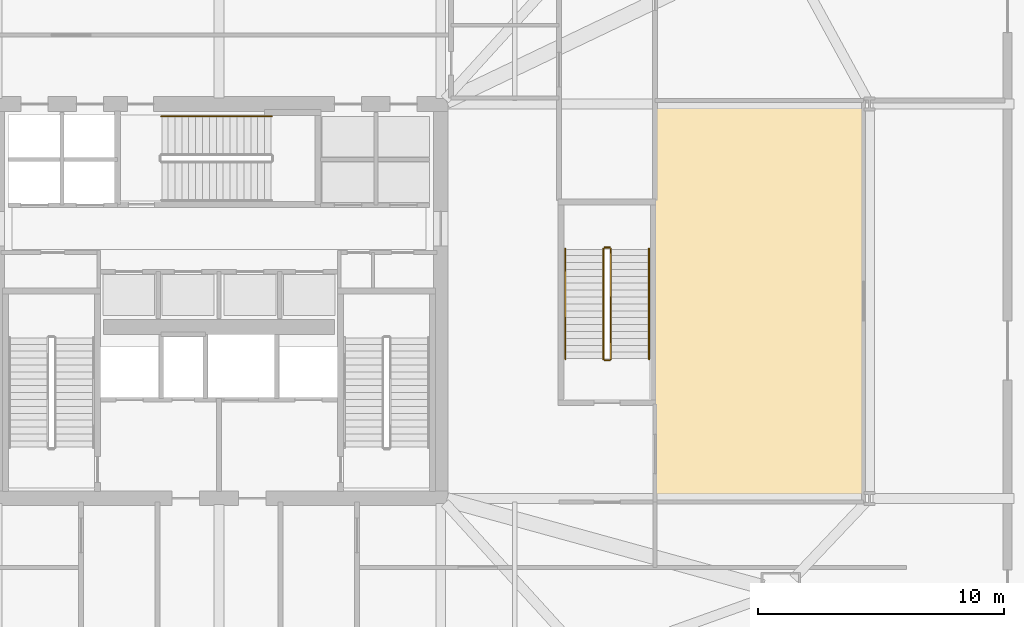
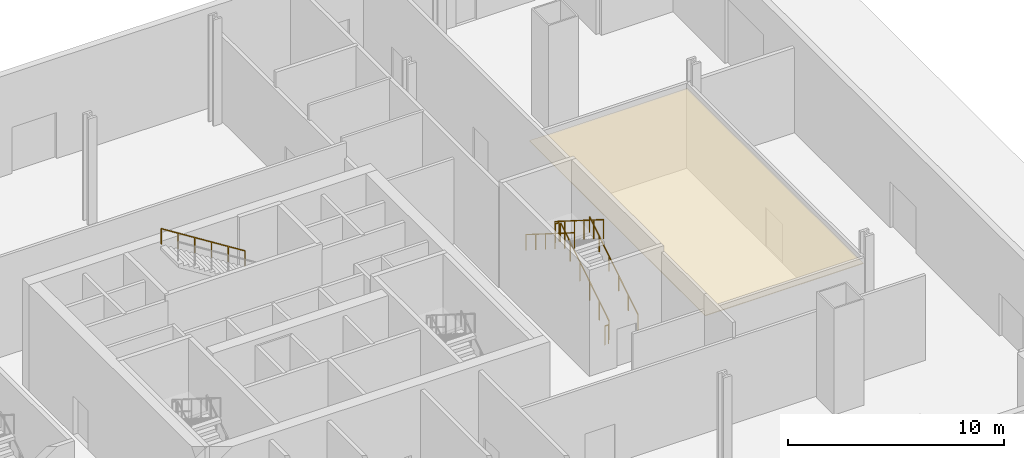
# One storey, part 9 of 10: 7 railings, 1 covering.
"""IFC4 building model written with IfcOpenShell, lengths in metres."""

from ifc_helpers import new_model, si_unit, direction, frame, origin, origin_2d, place, context, subcontext, project, spatial, polyline, rectangle, outline, extrude, material, layer, layer_set, type_object, element, save


model = new_model("IFC4")

# Units and contexts
model_context = context("Model", 3, precision=1e-05, world=origin(), true_north=direction((0.0, 1.0)))
body_context = subcontext(model_context, "Body", "Model", "MODEL_VIEW")
ifc_project = project(units=[si_unit("LENGTHUNIT", "METRE"), si_unit("AREAUNIT", "SQUARE_METRE"), si_unit("VOLUMEUNIT", "CUBIC_METRE"), si_unit("PLANEANGLEUNIT", "RADIAN"), si_unit("MASSUNIT", "GRAM", prefix="KILO")], contexts=[model_context])

# Site, building, storey
site_placement = place(None, origin())
site = spatial("IfcSite", under=ifc_project, at=site_placement, CompositionType="ELEMENT")
building_placement = place(site_placement, origin())
building = spatial("IfcBuilding", under=site, at=building_placement, Name="Haldenkirk Collegiate Tower", CompositionType="ELEMENT")
storey_placement = place(building_placement, origin())
storey = spatial("IfcBuildingStorey", under=building, at=storey_placement, Name="L00", CompositionType="ELEMENT", Elevation=0.0)

# Covering
ifc_material_1 = material(Name="Suspended mineral-fibre acoustic tile", Category="concrete")
ifc_layer = layer(ifc_material_1, 0.0400390625)
ifc_layer_set = layer_set([ifc_layer], Name="Suspended mineral-fibre acoustic tile")
covering_type = type_object("IfcCoveringType", Name="COV-CEIL-ACOUSTIC", PredefinedType="CEILING", material=ifc_layer_set)
covering_placement = place(storey_placement, frame((0.0, 0.0, 4.39990234375)))
element("IfcCovering", 1, at=covering_placement, inside=storey, type_object=covering_type, Name="L00 acoustic suspended ceiling CLG-L00-LT2", PredefinedType="CEILING", context=body_context, shape_type="SweptSolid", body=[
    extrude(outline(polyline([(53.699951171875, 17.85009765625), (62.14990234375, 17.85009765625), (62.14990234375, 34.14990234375), (53.699951171875, 34.14990234375), (53.699951171875, 17.85009765625)])), origin(), (0.0, 0.0, 1.0), 0.0400390625),
])

# Railings
ifc_material_2 = material(Name="Painted architectural tubular steel", Category="steel")
railing_type_1 = type_object("IfcRailingType", Name="RLG-STAIR-GUARD-1100", PredefinedType="BALUSTRADE", material=ifc_material_2)
railing_1_placement = place(storey_placement, frame((51.89990234375, 23.64990234375, 0.176513671875)))
element("IfcRailing", 2, at=railing_1_placement, inside=storey, type_object=railing_type_1, Name="L00 ST-5 stair guard 1", PredefinedType="BALUSTRADE", context=body_context, shape_type="SweptSolid", body=[
    extrude(rectangle(XDim=0.048095703125, YDim=0.048095703125, at=origin_2d()), frame((0.0, 0.0, 1.076171875), z_axis=(0.0, 0.845997938375, 0.533186166611), x_axis=(-1.0, 0.0, 0.0)), (0.0, 0.0, 1.0), 5.29541015625),
    extrude(rectangle(XDim=0.0419921875, YDim=0.0419921875, at=origin_2d()), origin(), (0.0, 0.0, 1.0), 1.052001953125),
    extrude(rectangle(XDim=0.0419921875, YDim=0.0419921875, at=origin_2d()), frame((0.0, 0.89599609375, 0.564697265625)), (0.0, 0.0, 1.0), 1.052001953125),
    extrude(rectangle(XDim=0.0419921875, YDim=0.0419921875, at=origin_2d()), frame((0.0, 1.7919921875, 1.12939453125)), (0.0, 0.0, 1.0), 1.052001953125),
    extrude(rectangle(XDim=0.0419921875, YDim=0.0419921875, at=origin_2d()), frame((0.0, 2.68798828125, 1.694091796875)), (0.0, 0.0, 1.0), 1.052001953125),
    extrude(rectangle(XDim=0.0419921875, YDim=0.0419921875, at=origin_2d()), frame((0.0, 3.583984375, 2.2587890625)), (0.0, 0.0, 1.0), 1.052001953125),
    extrude(rectangle(XDim=0.0419921875, YDim=0.0419921875, at=origin_2d()), frame((0.0, 4.47998046875, 2.823486328125)), (0.0, 0.0, 1.0), 1.052001953125),
])
railing_2_placement = place(storey_placement, frame((51.85009765625, 28.179931640625, 3.0)))
element("IfcRailing", 3, at=railing_2_placement, inside=storey, type_object=railing_type_1, Name="L00 ST-5 stair guard 2", PredefinedType="BALUSTRADE", context=body_context, shape_type="SweptSolid", body=[
    extrude(rectangle(XDim=0.048095703125, YDim=0.048095703125, at=origin_2d()), frame((0.0, 0.0, 1.076171875), z_axis=(-1.0, 0.0, 0.0), x_axis=(0.0, -1.0, 0.0)), (0.0, 0.0, 1.0), 0.2001953125),
    extrude(rectangle(XDim=0.0419921875, YDim=0.0419921875, at=origin_2d()), origin(), (0.0, 0.0, 1.0), 1.052001953125),
    extrude(rectangle(XDim=0.0419921875, YDim=0.0419921875, at=origin_2d()), frame((-0.2001953125, 0.0, 0.0)), (0.0, 0.0, 1.0), 1.052001953125),
])
railing_3_placement = place(storey_placement, frame((51.60009765625, 28.1298828125, 3.176513671875)))
element("IfcRailing", 4, at=railing_3_placement, inside=storey, type_object=railing_type_1, Name="L00 ST-5 stair guard 3", PredefinedType="BALUSTRADE", context=body_context, shape_type="SweptSolid", body=[
    extrude(rectangle(XDim=0.048095703125, YDim=0.048095703125, at=origin_2d()), frame((0.0, 0.0, 1.076171875), z_axis=(0.0, -0.845997938375, 0.533186166611), x_axis=(1.0, 0.0, 0.0)), (0.0, 0.0, 1.0), 5.29541015625),
    extrude(rectangle(XDim=0.0419921875, YDim=0.0419921875, at=origin_2d()), origin(), (0.0, 0.0, 1.0), 1.052001953125),
    extrude(rectangle(XDim=0.0419921875, YDim=0.0419921875, at=origin_2d()), frame((0.0, -0.89599609375, 0.564697265625)), (0.0, 0.0, 1.0), 1.052001953125),
    extrude(rectangle(XDim=0.0419921875, YDim=0.0419921875, at=origin_2d()), frame((0.0, -1.7919921875, 1.12939453125)), (0.0, 0.0, 1.0), 1.052001953125),
    extrude(rectangle(XDim=0.0419921875, YDim=0.0419921875, at=origin_2d()), frame((0.0, -2.68798828125, 1.694091796875)), (0.0, 0.0, 1.0), 1.052001953125),
    extrude(rectangle(XDim=0.0419921875, YDim=0.0419921875, at=origin_2d()), frame((0.0, -3.583984375, 2.2587890625)), (0.0, 0.0, 1.0), 1.052001953125),
    extrude(rectangle(XDim=0.0419921875, YDim=0.0419921875, at=origin_2d()), frame((0.0, -4.47998046875, 2.823486328125)), (0.0, 0.0, 1.0), 1.052001953125),
])
railing_4_placement = place(storey_placement, frame((51.85009765625, 23.60009765625, 0.0)))
element("IfcRailing", 5, at=railing_4_placement, inside=storey, type_object=railing_type_1, Name="L00 ST-5 stair guard 4", PredefinedType="BALUSTRADE", context=body_context, shape_type="SweptSolid", body=[
    extrude(rectangle(XDim=0.048095703125, YDim=0.048095703125, at=origin_2d()), frame((0.0, 0.0, 1.076171875), z_axis=(-1.0, 0.0, 0.0), x_axis=(0.0, -1.0, 0.0)), (0.0, 0.0, 1.0), 0.2001953125),
    extrude(rectangle(XDim=0.0419921875, YDim=0.0419921875, at=origin_2d()), origin(), (0.0, 0.0, 1.0), 1.052001953125),
    extrude(rectangle(XDim=0.0419921875, YDim=0.0419921875, at=origin_2d()), frame((-0.2001953125, 0.0, 0.0)), (0.0, 0.0, 1.0), 1.052001953125),
])
railing_type_2 = type_object("IfcRailingType", Name="RLG-STAIR-HANDRAIL-900", PredefinedType="HANDRAIL", material=ifc_material_2)
railing_5_placement = place(storey_placement, frame((38.1298828125, 33.5, 3.176513671875)))
element("IfcRailing", 6, at=railing_5_placement, inside=storey, type_object=railing_type_2, Name="L00 ST-3 stair handrail 2", PredefinedType="HANDRAIL", context=body_context, shape_type="SweptSolid", body=[
    extrude(rectangle(XDim=0.048095703125, YDim=0.048095703125, at=origin_2d()), frame((0.0, 0.0, 0.8759765625), z_axis=(-0.845997938375, 0.0, 0.533186166611), x_axis=(0.0, -1.0, 0.0)), (0.0, 0.0, 1.0), 5.29541015625),
    extrude(rectangle(XDim=0.0419921875, YDim=0.0419921875, at=origin_2d()), origin(), (0.0, 0.0, 1.0), 0.851806640625),
    extrude(rectangle(XDim=0.0419921875, YDim=0.0419921875, at=origin_2d()), frame((-0.89599609375, 0.0, 0.564697265625)), (0.0, 0.0, 1.0), 0.851806640625),
    extrude(rectangle(XDim=0.0419921875, YDim=0.0419921875, at=origin_2d()), frame((-1.7919921875, 0.0, 1.12939453125)), (0.0, 0.0, 1.0), 0.851806640625),
    extrude(rectangle(XDim=0.0419921875, YDim=0.0419921875, at=origin_2d()), frame((-2.68798828125, 0.0, 1.694091796875)), (0.0, 0.0, 1.0), 0.851806640625),
    extrude(rectangle(XDim=0.0419921875, YDim=0.0419921875, at=origin_2d()), frame((-3.583984375, 0.0, 2.2587890625)), (0.0, 0.0, 1.0), 0.851806640625),
    extrude(rectangle(XDim=0.0419921875, YDim=0.0419921875, at=origin_2d()), frame((-4.47998046875, 0.0, 2.823486328125)), (0.0, 0.0, 1.0), 0.851806640625),
])
railing_6_placement = place(storey_placement, frame((53.449951171875, 23.64990234375, 0.176513671875)))
element("IfcRailing", 7, at=railing_6_placement, inside=storey, type_object=railing_type_2, Name="L00 ST-5 stair handrail 1", PredefinedType="HANDRAIL", context=body_context, shape_type="SweptSolid", body=[
    extrude(rectangle(XDim=0.048095703125, YDim=0.048095703125, at=origin_2d()), frame((0.0, 0.0, 0.8759765625), z_axis=(0.0, 0.845997938375, 0.533186166611), x_axis=(-1.0, 0.0, 0.0)), (0.0, 0.0, 1.0), 5.29541015625),
    extrude(rectangle(XDim=0.0419921875, YDim=0.0419921875, at=origin_2d()), origin(), (0.0, 0.0, 1.0), 0.851806640625),
    extrude(rectangle(XDim=0.0419921875, YDim=0.0419921875, at=origin_2d()), frame((0.0, 0.89599609375, 0.564697265625)), (0.0, 0.0, 1.0), 0.851806640625),
    extrude(rectangle(XDim=0.0419921875, YDim=0.0419921875, at=origin_2d()), frame((0.0, 1.7919921875, 1.12939453125)), (0.0, 0.0, 1.0), 0.851806640625),
    extrude(rectangle(XDim=0.0419921875, YDim=0.0419921875, at=origin_2d()), frame((0.0, 2.68798828125, 1.694091796875)), (0.0, 0.0, 1.0), 0.851806640625),
    extrude(rectangle(XDim=0.0419921875, YDim=0.0419921875, at=origin_2d()), frame((0.0, 3.583984375, 2.2587890625)), (0.0, 0.0, 1.0), 0.851806640625),
    extrude(rectangle(XDim=0.0419921875, YDim=0.0419921875, at=origin_2d()), frame((0.0, 4.47998046875, 2.823486328125)), (0.0, 0.0, 1.0), 0.851806640625),
])
railing_7_placement = place(storey_placement, frame((50.050048828125, 28.1298828125, 3.176513671875)))
element("IfcRailing", 8, at=railing_7_placement, inside=storey, type_object=railing_type_2, Name="L00 ST-5 stair handrail 2", PredefinedType="HANDRAIL", context=body_context, shape_type="SweptSolid", body=[
    extrude(rectangle(XDim=0.048095703125, YDim=0.048095703125, at=origin_2d()), frame((0.0, 0.0, 0.8759765625), z_axis=(0.0, -0.845997938375, 0.533186166611), x_axis=(1.0, 0.0, 0.0)), (0.0, 0.0, 1.0), 5.29541015625),
    extrude(rectangle(XDim=0.0419921875, YDim=0.0419921875, at=origin_2d()), origin(), (0.0, 0.0, 1.0), 0.851806640625),
    extrude(rectangle(XDim=0.0419921875, YDim=0.0419921875, at=origin_2d()), frame((0.0, -0.89599609375, 0.564697265625)), (0.0, 0.0, 1.0), 0.851806640625),
    extrude(rectangle(XDim=0.0419921875, YDim=0.0419921875, at=origin_2d()), frame((0.0, -1.7919921875, 1.12939453125)), (0.0, 0.0, 1.0), 0.851806640625),
    extrude(rectangle(XDim=0.0419921875, YDim=0.0419921875, at=origin_2d()), frame((0.0, -2.68798828125, 1.694091796875)), (0.0, 0.0, 1.0), 0.851806640625),
    extrude(rectangle(XDim=0.0419921875, YDim=0.0419921875, at=origin_2d()), frame((0.0, -3.583984375, 2.2587890625)), (0.0, 0.0, 1.0), 0.851806640625),
    extrude(rectangle(XDim=0.0419921875, YDim=0.0419921875, at=origin_2d()), frame((0.0, -4.47998046875, 2.823486328125)), (0.0, 0.0, 1.0), 0.851806640625),
])

save(model, "model.ifc")
